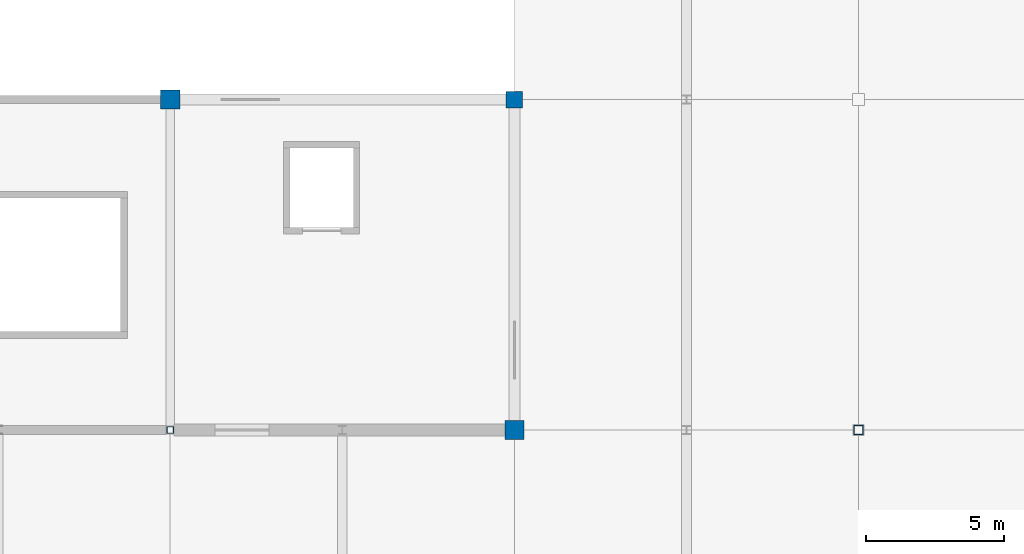
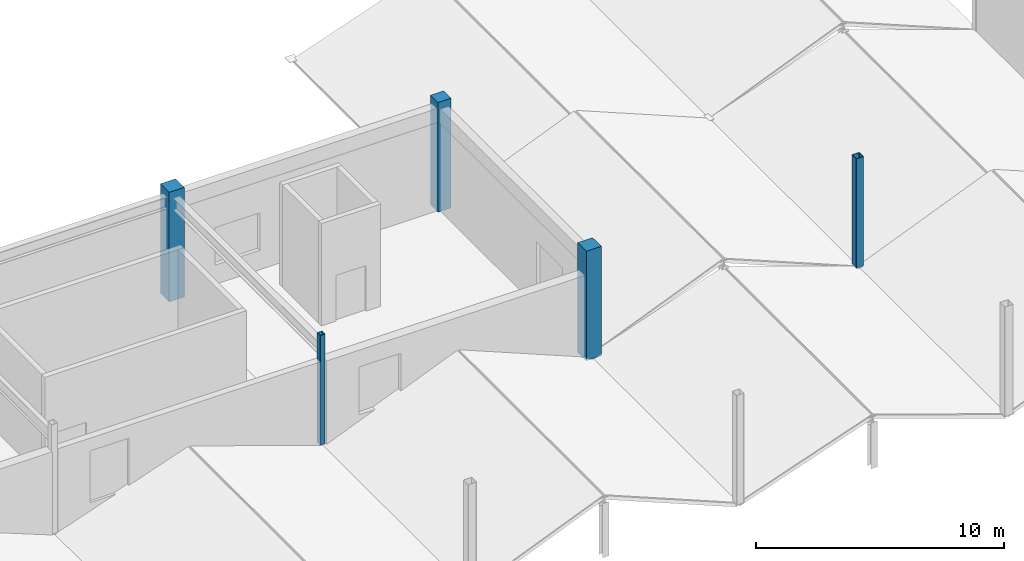
# One storey, part 23 of 76: 5 columns.
"""IFC4 building model written with IfcOpenShell, lengths in metres."""

from ifc_helpers import new_model, si_unit, direction, frame, origin, origin_2d, place, context, subcontext, project, spatial, rectangle, hollow_rectangle, extrude, material, material_profile, profile_set, type_object, element, save


model = new_model("IFC4")

# Units and contexts
model_context = context("Model", 3, precision=1e-05, world=origin(), true_north=direction((0.0, 1.0)))
body_context = subcontext(model_context, "Body", "Model", "MODEL_VIEW")
ifc_project = project(units=[si_unit("LENGTHUNIT", "METRE"), si_unit("AREAUNIT", "SQUARE_METRE"), si_unit("VOLUMEUNIT", "CUBIC_METRE"), si_unit("PLANEANGLEUNIT", "RADIAN"), si_unit("MASSUNIT", "GRAM", prefix="KILO")], contexts=[model_context])

# Site, building, storey
site_placement = place(None, origin())
site = spatial("IfcSite", under=ifc_project, at=site_placement, CompositionType="ELEMENT")
building_placement = place(site_placement, origin())
building = spatial("IfcBuilding", under=site, at=building_placement, Name="Kazenohara Klinker Stadium", CompositionType="ELEMENT")
storey_placement = place(building_placement, frame((0.0, 0.0, 25.800048828125)))
storey = spatial("IfcBuildingStorey", under=building, at=storey_placement, Name="L05", CompositionType="ELEMENT", Elevation=25.800048828125)

# Columns
ifc_material_1 = material(Name="Concrete C40/50", Category="concrete")
ifc_material_profile_1 = material_profile(ifc_material_1, rectangle(XDim=0.699951171875, YDim=0.699951171875, at=origin_2d()), Name="RC-COL-700x700")
ifc_profile_set_1 = profile_set([ifc_material_profile_1], Name="Concrete C40/50")
column_type_1 = type_object("IfcColumnType", Name="COL-RC06", PredefinedType="COLUMN", material=ifc_profile_set_1)
for number, where, z_axis, x_axis, name in (
    (1, (137.5, 156.0, 0.0), (0.0, 0.0, 1.0), (1.0, 0.0, 0.0), "Column C06 L05 12/P"),
    (2, (150.0, 144.0, 0.0), (0.0, 0.0, 1.0), (1.0, 0.0, 0.0), "Column C06 L05 13/N"),
):
    element("IfcColumn", number, at=place(storey_placement, frame(where, z_axis=z_axis, x_axis=x_axis)), inside=storey, type_object=column_type_1, Name=name, PredefinedType="COLUMN", context=body_context, shape_type="SweptSolid", body=[
        extrude(rectangle(XDim=0.699951171875, YDim=0.699951171875, at=origin_2d()), origin(), (0.0, 0.0, 1.0), 5.39990234375),
    ])
ifc_material_profile_2 = material_profile(ifc_material_1, rectangle(XDim=0.60009765625, YDim=0.60009765625, at=origin_2d()), Name="RC-COL-600x600")
ifc_profile_set_2 = profile_set([ifc_material_profile_2], Name="Concrete C40/50")
column_type_2 = type_object("IfcColumnType", Name="COL-RC07", PredefinedType="COLUMN", material=ifc_profile_set_2)
column_1_placement = place(storey_placement, frame((150.0, 156.0, 0.0), z_axis=(0.0, 0.0, 1.0), x_axis=(1.0, 0.0, 0.0)))
element("IfcColumn", 3, at=column_1_placement, inside=storey, type_object=column_type_2, Name="Column C07 L05 13/P", PredefinedType="COLUMN", context=body_context, shape_type="SweptSolid", body=[
    extrude(rectangle(XDim=0.60009765625, YDim=0.60009765625, at=origin_2d()), origin(), (0.0, 0.0, 1.0), 5.39990234375),
])
ifc_material_2 = material(Name="Steel S355", Category="steel")
ifc_material_profile_3 = material_profile(ifc_material_2, hollow_rectangle(XDim=0.35009765625, YDim=0.35009765625, WallThickness=0.01611328125, InnerFilletRadius=0.01611328125, OuterFilletRadius=0.031982421875, at=origin_2d()), Name="SHS-350x350x16")
ifc_profile_set_3 = profile_set([ifc_material_profile_3], Name="Steel S355")
column_type_3 = type_object("IfcColumnType", Name="COL-ST02", PredefinedType="COLUMN", material=ifc_profile_set_3)
column_2_placement = place(storey_placement, frame((162.5, 144.0, 0.0), z_axis=(0.0, 0.0, 1.0), x_axis=(1.0, 0.0, 0.0)))
element("IfcColumn", 4, at=column_2_placement, inside=storey, type_object=column_type_3, Name="Canopy ring support column SC02 L05 14/N", PredefinedType="COLUMN", context=body_context, shape_type="SweptSolid", body=[
    extrude(hollow_rectangle(XDim=0.35009765625, YDim=0.35009765625, WallThickness=0.01611328125, InnerFilletRadius=0.01611328125, OuterFilletRadius=0.031982421875, at=origin_2d()), origin(), (0.0, 0.0, 1.0), 5.39990234375),
])
ifc_material_profile_4 = material_profile(ifc_material_2, hollow_rectangle(XDim=0.25, YDim=0.25, WallThickness=0.011962890625, InnerFilletRadius=0.011962890625, OuterFilletRadius=0.02392578125, at=origin_2d()), Name="SHS-250x250x12")
ifc_profile_set_4 = profile_set([ifc_material_profile_4], Name="Steel S355")
column_type_4 = type_object("IfcColumnType", Name="COL-ST04", PredefinedType="COLUMN", material=ifc_profile_set_4)
column_3_placement = place(storey_placement, frame((137.5, 144.0, 0.0), z_axis=(0.0, 0.0, 1.0), x_axis=(1.0, 0.0, 0.0)))
element("IfcColumn", 5, at=column_3_placement, inside=storey, type_object=column_type_4, Name="Column SC04 L05 12/N", PredefinedType="COLUMN", context=body_context, shape_type="SweptSolid", body=[
    extrude(hollow_rectangle(XDim=0.25, YDim=0.25, WallThickness=0.011962890625, InnerFilletRadius=0.011962890625, OuterFilletRadius=0.02392578125, at=origin_2d()), origin(), (0.0, 0.0, 1.0), 5.39990234375),
])

save(model, "model.ifc")
